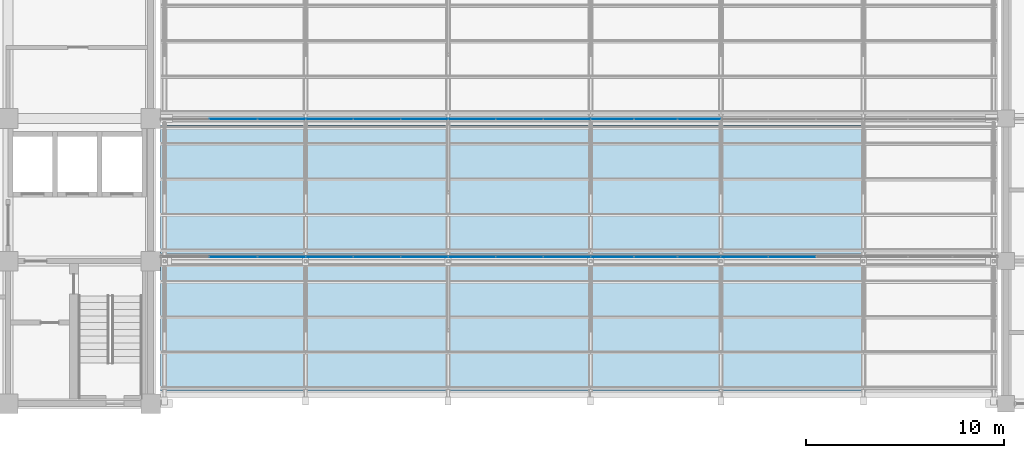
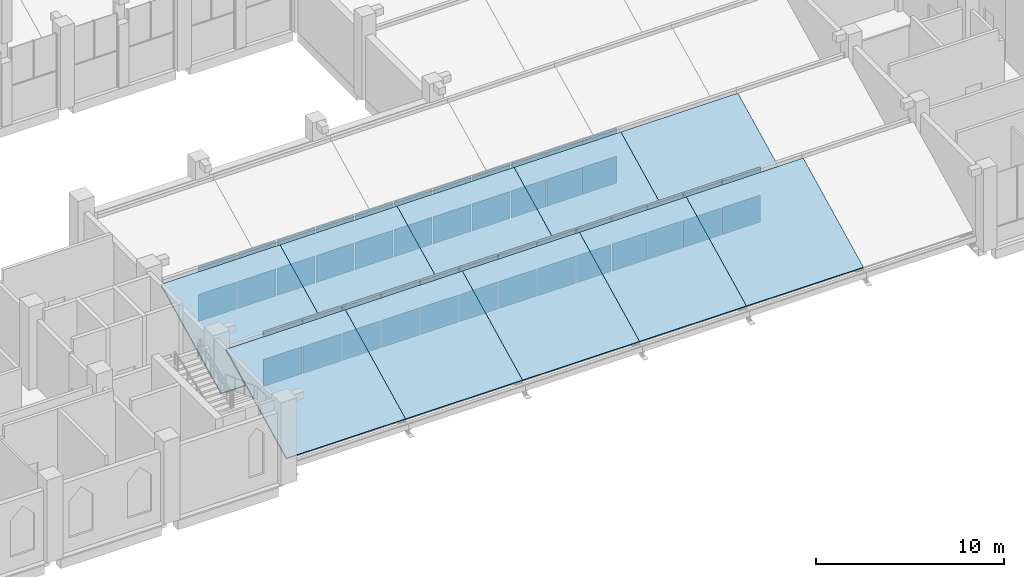
# One storey, part 61 of 83: 48 plates, 10 slabs, 9 elements without a shape of their own.
"""IFC4 building model written with IfcOpenShell, lengths in metres."""

from ifc_helpers import new_model, si_unit, direction, frame, origin, place, context, subcontext, project, spatial, polyline, outline, extrude, material, layer, layer_set, type_object, element, aggregate, save


model = new_model("IFC4")

# Units and contexts
model_context = context("Model", 3, precision=1e-05, world=origin(), true_north=direction((0.0, 1.0)))
body_context = subcontext(model_context, "Body", "Model", "MODEL_VIEW")
ifc_project = project(units=[si_unit("LENGTHUNIT", "METRE"), si_unit("AREAUNIT", "SQUARE_METRE"), si_unit("VOLUMEUNIT", "CUBIC_METRE"), si_unit("PLANEANGLEUNIT", "RADIAN"), si_unit("MASSUNIT", "GRAM", prefix="KILO")], contexts=[model_context])

# Site, building, storey
site_placement = place(None, origin())
site = spatial("IfcSite", under=ifc_project, at=site_placement, CompositionType="ELEMENT")
building_placement = place(site_placement, origin())
building = spatial("IfcBuilding", under=site, at=building_placement, Name="Silangan Lancet Faculty of Sciences", CompositionType="ELEMENT")
storey_placement = place(building_placement, frame((0.0, 0.0, 11.39990234375)))
storey = spatial("IfcBuildingStorey", under=building, at=storey_placement, Name="L02", CompositionType="ELEMENT", Elevation=11.39990234375)

# Curtain wall, plates
ifc_material_1 = material(Name="Aluminium and laminated glass", Category="aluminium")
curtain_wall_type = type_object("IfcCurtainWallType", Name="North light glazing system", PredefinedType="NOTDEFINED", material=ifc_material_1)
curtain_wall_1_placement = place(storey_placement, origin())
curtain_wall_1 = element("IfcCurtainWall", 1, at=curtain_wall_1_placement, inside=storey, type_object=curtain_wall_type, Name="North light glazing SAB-1-4", PredefinedType="NOTDEFINED")
ifc_material_2 = material(Name="Laminated glass 12 + 12", Category="glass")
ifc_layer_1 = layer(ifc_material_2, 0.02392578125)
ifc_layer_set_1 = layer_set([ifc_layer_1], Name="Laminated glass 12 + 12")
plate_type_1 = type_object("IfcPlateType", Name="North light glass panel 2132x1768", PredefinedType="CURTAIN_PANEL", material=ifc_layer_set_1)
plate_1_placement = place(storey_placement, frame((51.054931640625, 7.40478515625, 0.4423828125), z_axis=(0.0, -1.0, 0.0), x_axis=(1.0, 0.0, 0.0)))
plate_1 = element("IfcPlate", 2, at=plate_1_placement, type_object=plate_type_1, Name="North light glass SAB-1-4 1-1", PredefinedType="CURTAIN_PANEL", context=body_context, shape_type="SweptSolid", body=[
    extrude(outline(polyline([(0.0, 0.0), (2.1318359375, 0.0), (2.1318359375, 1.76806640625), (0.0, 1.76806640625), (0.0, 0.0)])), origin(), (0.0, 0.0, -1.0), 0.02392578125),
])
plate_2_placement = place(storey_placement, frame((51.054931640625, 7.40478515625, 2.2705078125), z_axis=(0.0, -1.0, 0.0), x_axis=(1.0, 0.0, 0.0)))
plate_2 = element("IfcPlate", 3, at=plate_2_placement, type_object=plate_type_1, Name="North light glass SAB-1-4 2-1", PredefinedType="CURTAIN_PANEL", context=body_context, shape_type="SweptSolid", body=[
    extrude(outline(polyline([(0.0, 0.0), (2.1318359375, 0.0), (2.1318359375, 1.767822265625), (0.0, 1.767822265625), (0.0, 0.0)])), origin(), (0.0, 0.0, -1.0), 0.02392578125),
])
plate_3_placement = place(storey_placement, frame((53.24658203125, 7.40478515625, 0.4423828125), z_axis=(0.0, -1.0, 0.0), x_axis=(1.0, 0.0, 0.0)))
plate_3 = element("IfcPlate", 4, at=plate_3_placement, type_object=plate_type_1, Name="North light glass SAB-1-4 1-2", PredefinedType="CURTAIN_PANEL", context=body_context, shape_type="SweptSolid", body=[
    extrude(outline(polyline([(0.0, 0.0), (2.1318359375, 0.0), (2.1318359375, 1.76806640625), (0.0, 1.76806640625), (0.0, 0.0)])), origin(), (0.0, 0.0, -1.0), 0.02392578125),
])
plate_4_placement = place(storey_placement, frame((53.24658203125, 7.40478515625, 2.2705078125), z_axis=(0.0, -1.0, 0.0), x_axis=(1.0, 0.0, 0.0)))
plate_4 = element("IfcPlate", 5, at=plate_4_placement, type_object=plate_type_1, Name="North light glass SAB-1-4 2-2", PredefinedType="CURTAIN_PANEL", context=body_context, shape_type="SweptSolid", body=[
    extrude(outline(polyline([(0.0, 0.0), (2.1318359375, 0.0), (2.1318359375, 1.767822265625), (0.0, 1.767822265625), (0.0, 0.0)])), origin(), (0.0, 0.0, -1.0), 0.02392578125),
])
plate_5_placement = place(storey_placement, frame((55.438232421875, 7.40478515625, 0.4423828125), z_axis=(0.0, -1.0, 0.0), x_axis=(1.0, 0.0, 0.0)))
plate_5 = element("IfcPlate", 6, at=plate_5_placement, type_object=plate_type_1, Name="North light glass SAB-1-4 1-3", PredefinedType="CURTAIN_PANEL", context=body_context, shape_type="SweptSolid", body=[
    extrude(outline(polyline([(0.0, 0.0), (2.1318359375, 0.0), (2.1318359375, 1.76806640625), (0.0, 1.76806640625), (0.0, 0.0)])), origin(), (0.0, 0.0, -1.0), 0.02392578125),
])
plate_6_placement = place(storey_placement, frame((55.438232421875, 7.40478515625, 2.2705078125), z_axis=(0.0, -1.0, 0.0), x_axis=(1.0, 0.0, 0.0)))
plate_6 = element("IfcPlate", 7, at=plate_6_placement, type_object=plate_type_1, Name="North light glass SAB-1-4 2-3", PredefinedType="CURTAIN_PANEL", context=body_context, shape_type="SweptSolid", body=[
    extrude(outline(polyline([(0.0, 0.0), (2.1318359375, 0.0), (2.1318359375, 1.767822265625), (0.0, 1.767822265625), (0.0, 0.0)])), origin(), (0.0, 0.0, -1.0), 0.02392578125),
])
aggregate(curtain_wall_1, [plate_1, plate_2, plate_3, plate_4, plate_5, plate_6])

curtain_wall_2_placement = place(storey_placement, origin())
curtain_wall_2 = element("IfcCurtainWall", 8, at=curtain_wall_2_placement, inside=storey, type_object=curtain_wall_type, Name="North light glazing SAB-2-4", PredefinedType="NOTDEFINED")
plate_7_placement = place(storey_placement, frame((51.054931640625, 14.3662109375, 0.4423828125), z_axis=(0.0, -1.0, 0.0), x_axis=(1.0, 0.0, 0.0)))
plate_7 = element("IfcPlate", 9, at=plate_7_placement, type_object=plate_type_1, Name="North light glass SAB-2-4 1-1", PredefinedType="CURTAIN_PANEL", context=body_context, shape_type="SweptSolid", body=[
    extrude(outline(polyline([(0.0, 0.0), (2.1318359375, 0.0), (2.1318359375, 1.76806640625), (0.0, 1.76806640625), (0.0, 0.0)])), origin(), (0.0, 0.0, -1.0), 0.02392578125),
])
plate_8_placement = place(storey_placement, frame((51.054931640625, 14.3662109375, 2.2705078125), z_axis=(0.0, -1.0, 0.0), x_axis=(1.0, 0.0, 0.0)))
plate_8 = element("IfcPlate", 10, at=plate_8_placement, type_object=plate_type_1, Name="North light glass SAB-2-4 2-1", PredefinedType="CURTAIN_PANEL", context=body_context, shape_type="SweptSolid", body=[
    extrude(outline(polyline([(0.0, 0.0), (2.1318359375, 0.0), (2.1318359375, 1.767822265625), (0.0, 1.767822265625), (0.0, 0.0)])), origin(), (0.0, 0.0, -1.0), 0.02392578125),
])
plate_9_placement = place(storey_placement, frame((53.24658203125, 14.3662109375, 0.4423828125), z_axis=(0.0, -1.0, 0.0), x_axis=(1.0, 0.0, 0.0)))
plate_9 = element("IfcPlate", 11, at=plate_9_placement, type_object=plate_type_1, Name="North light glass SAB-2-4 1-2", PredefinedType="CURTAIN_PANEL", context=body_context, shape_type="SweptSolid", body=[
    extrude(outline(polyline([(0.0, 0.0), (2.1318359375, 0.0), (2.1318359375, 1.76806640625), (0.0, 1.76806640625), (0.0, 0.0)])), origin(), (0.0, 0.0, -1.0), 0.02392578125),
])
plate_10_placement = place(storey_placement, frame((53.24658203125, 14.3662109375, 2.2705078125), z_axis=(0.0, -1.0, 0.0), x_axis=(1.0, 0.0, 0.0)))
plate_10 = element("IfcPlate", 12, at=plate_10_placement, type_object=plate_type_1, Name="North light glass SAB-2-4 2-2", PredefinedType="CURTAIN_PANEL", context=body_context, shape_type="SweptSolid", body=[
    extrude(outline(polyline([(0.0, 0.0), (2.1318359375, 0.0), (2.1318359375, 1.767822265625), (0.0, 1.767822265625), (0.0, 0.0)])), origin(), (0.0, 0.0, -1.0), 0.02392578125),
])
plate_11_placement = place(storey_placement, frame((55.438232421875, 14.3662109375, 0.4423828125), z_axis=(0.0, -1.0, 0.0), x_axis=(1.0, 0.0, 0.0)))
plate_11 = element("IfcPlate", 13, at=plate_11_placement, type_object=plate_type_1, Name="North light glass SAB-2-4 1-3", PredefinedType="CURTAIN_PANEL", context=body_context, shape_type="SweptSolid", body=[
    extrude(outline(polyline([(0.0, 0.0), (2.1318359375, 0.0), (2.1318359375, 1.76806640625), (0.0, 1.76806640625), (0.0, 0.0)])), origin(), (0.0, 0.0, -1.0), 0.02392578125),
])
plate_12_placement = place(storey_placement, frame((55.438232421875, 14.3662109375, 2.2705078125), z_axis=(0.0, -1.0, 0.0), x_axis=(1.0, 0.0, 0.0)))
plate_12 = element("IfcPlate", 14, at=plate_12_placement, type_object=plate_type_1, Name="North light glass SAB-2-4 2-3", PredefinedType="CURTAIN_PANEL", context=body_context, shape_type="SweptSolid", body=[
    extrude(outline(polyline([(0.0, 0.0), (2.1318359375, 0.0), (2.1318359375, 1.767822265625), (0.0, 1.767822265625), (0.0, 0.0)])), origin(), (0.0, 0.0, -1.0), 0.02392578125),
])
aggregate(curtain_wall_2, [plate_7, plate_8, plate_9, plate_10, plate_11, plate_12])

curtain_wall_3_placement = place(storey_placement, origin())
curtain_wall_3 = element("IfcCurtainWall", 15, at=curtain_wall_3_placement, inside=storey, type_object=curtain_wall_type, Name="North light glazing SAB-1-2", PredefinedType="NOTDEFINED")
ifc_material_3 = material(Name="Laminated glass 12 + 12", Category="glass")
ifc_layer_2 = layer(ifc_material_3, 0.02392578125)
ifc_layer_set_2 = layer_set([ifc_layer_2], Name="Laminated glass 12 + 12")
plate_type_2 = type_object("IfcPlateType", Name="North light glass panel 2340x1768", PredefinedType="CURTAIN_PANEL", material=ifc_layer_set_2)
plate_13_placement = place(storey_placement, frame((36.655029296875, 7.40478515625, 0.4423828125), z_axis=(0.0, -1.0, 0.0), x_axis=(1.0, 0.0, 0.0)))
plate_13 = element("IfcPlate", 16, at=plate_13_placement, type_object=plate_type_2, Name="North light glass SAB-1-2 1-1", PredefinedType="CURTAIN_PANEL", context=body_context, shape_type="SweptSolid", body=[
    extrude(outline(polyline([(0.0, 0.0), (2.340087890625, 0.0), (2.340087890625, 1.76806640625), (0.0, 1.76806640625), (0.0, 0.0)])), origin(), (0.0, 0.0, -1.0), 0.02392578125),
])
plate_14_placement = place(storey_placement, frame((36.655029296875, 7.40478515625, 2.2705078125), z_axis=(0.0, -1.0, 0.0), x_axis=(1.0, 0.0, 0.0)))
plate_14 = element("IfcPlate", 17, at=plate_14_placement, type_object=plate_type_2, Name="North light glass SAB-1-2 2-1", PredefinedType="CURTAIN_PANEL", context=body_context, shape_type="SweptSolid", body=[
    extrude(outline(polyline([(0.0, 0.0), (2.340087890625, 0.0), (2.340087890625, 1.767822265625), (0.0, 1.767822265625), (0.0, 0.0)])), origin(), (0.0, 0.0, -1.0), 0.02392578125),
])
plate_15_placement = place(storey_placement, frame((39.054931640625, 7.40478515625, 0.4423828125), z_axis=(0.0, -1.0, 0.0), x_axis=(1.0, 0.0, 0.0)))
plate_15 = element("IfcPlate", 18, at=plate_15_placement, type_object=plate_type_2, Name="North light glass SAB-1-2 1-2", PredefinedType="CURTAIN_PANEL", context=body_context, shape_type="SweptSolid", body=[
    extrude(outline(polyline([(0.0, 0.0), (2.340087890625, 0.0), (2.340087890625, 1.76806640625), (0.0, 1.76806640625), (0.0, 0.0)])), origin(), (0.0, 0.0, -1.0), 0.02392578125),
])
plate_16_placement = place(storey_placement, frame((39.054931640625, 7.40478515625, 2.2705078125), z_axis=(0.0, -1.0, 0.0), x_axis=(1.0, 0.0, 0.0)))
plate_16 = element("IfcPlate", 19, at=plate_16_placement, type_object=plate_type_2, Name="North light glass SAB-1-2 2-2", PredefinedType="CURTAIN_PANEL", context=body_context, shape_type="SweptSolid", body=[
    extrude(outline(polyline([(0.0, 0.0), (2.340087890625, 0.0), (2.340087890625, 1.767822265625), (0.0, 1.767822265625), (0.0, 0.0)])), origin(), (0.0, 0.0, -1.0), 0.02392578125),
])
plate_17_placement = place(storey_placement, frame((41.455078125, 7.40478515625, 0.4423828125), z_axis=(0.0, -1.0, 0.0), x_axis=(1.0, 0.0, 0.0)))
plate_17 = element("IfcPlate", 20, at=plate_17_placement, type_object=plate_type_2, Name="North light glass SAB-1-2 1-3", PredefinedType="CURTAIN_PANEL", context=body_context, shape_type="SweptSolid", body=[
    extrude(outline(polyline([(0.0, 0.0), (2.33984375, 0.0), (2.33984375, 1.76806640625), (0.0, 1.76806640625), (0.0, 0.0)])), origin(), (0.0, 0.0, -1.0), 0.02392578125),
])
plate_18_placement = place(storey_placement, frame((41.455078125, 7.40478515625, 2.2705078125), z_axis=(0.0, -1.0, 0.0), x_axis=(1.0, 0.0, 0.0)))
plate_18 = element("IfcPlate", 21, at=plate_18_placement, type_object=plate_type_2, Name="North light glass SAB-1-2 2-3", PredefinedType="CURTAIN_PANEL", context=body_context, shape_type="SweptSolid", body=[
    extrude(outline(polyline([(0.0, 0.0), (2.33984375, 0.0), (2.33984375, 1.767822265625), (0.0, 1.767822265625), (0.0, 0.0)])), origin(), (0.0, 0.0, -1.0), 0.02392578125),
])
aggregate(curtain_wall_3, [plate_13, plate_14, plate_15, plate_16, plate_17, plate_18])

curtain_wall_4_placement = place(storey_placement, origin())
curtain_wall_4 = element("IfcCurtainWall", 22, at=curtain_wall_4_placement, inside=storey, type_object=curtain_wall_type, Name="North light glazing SAB-2-2", PredefinedType="NOTDEFINED")
plate_19_placement = place(storey_placement, frame((36.655029296875, 14.3662109375, 0.4423828125), z_axis=(0.0, -1.0, 0.0), x_axis=(1.0, 0.0, 0.0)))
plate_19 = element("IfcPlate", 23, at=plate_19_placement, type_object=plate_type_2, Name="North light glass SAB-2-2 1-1", PredefinedType="CURTAIN_PANEL", context=body_context, shape_type="SweptSolid", body=[
    extrude(outline(polyline([(0.0, 0.0), (2.340087890625, 0.0), (2.340087890625, 1.76806640625), (0.0, 1.76806640625), (0.0, 0.0)])), origin(), (0.0, 0.0, -1.0), 0.02392578125),
])
plate_20_placement = place(storey_placement, frame((36.655029296875, 14.3662109375, 2.2705078125), z_axis=(0.0, -1.0, 0.0), x_axis=(1.0, 0.0, 0.0)))
plate_20 = element("IfcPlate", 24, at=plate_20_placement, type_object=plate_type_2, Name="North light glass SAB-2-2 2-1", PredefinedType="CURTAIN_PANEL", context=body_context, shape_type="SweptSolid", body=[
    extrude(outline(polyline([(0.0, 0.0), (2.340087890625, 0.0), (2.340087890625, 1.767822265625), (0.0, 1.767822265625), (0.0, 0.0)])), origin(), (0.0, 0.0, -1.0), 0.02392578125),
])
plate_21_placement = place(storey_placement, frame((39.054931640625, 14.3662109375, 0.4423828125), z_axis=(0.0, -1.0, 0.0), x_axis=(1.0, 0.0, 0.0)))
plate_21 = element("IfcPlate", 25, at=plate_21_placement, type_object=plate_type_2, Name="North light glass SAB-2-2 1-2", PredefinedType="CURTAIN_PANEL", context=body_context, shape_type="SweptSolid", body=[
    extrude(outline(polyline([(0.0, 0.0), (2.340087890625, 0.0), (2.340087890625, 1.76806640625), (0.0, 1.76806640625), (0.0, 0.0)])), origin(), (0.0, 0.0, -1.0), 0.02392578125),
])
plate_22_placement = place(storey_placement, frame((39.054931640625, 14.3662109375, 2.2705078125), z_axis=(0.0, -1.0, 0.0), x_axis=(1.0, 0.0, 0.0)))
plate_22 = element("IfcPlate", 26, at=plate_22_placement, type_object=plate_type_2, Name="North light glass SAB-2-2 2-2", PredefinedType="CURTAIN_PANEL", context=body_context, shape_type="SweptSolid", body=[
    extrude(outline(polyline([(0.0, 0.0), (2.340087890625, 0.0), (2.340087890625, 1.767822265625), (0.0, 1.767822265625), (0.0, 0.0)])), origin(), (0.0, 0.0, -1.0), 0.02392578125),
])
plate_23_placement = place(storey_placement, frame((41.455078125, 14.3662109375, 0.4423828125), z_axis=(0.0, -1.0, 0.0), x_axis=(1.0, 0.0, 0.0)))
plate_23 = element("IfcPlate", 27, at=plate_23_placement, type_object=plate_type_2, Name="North light glass SAB-2-2 1-3", PredefinedType="CURTAIN_PANEL", context=body_context, shape_type="SweptSolid", body=[
    extrude(outline(polyline([(0.0, 0.0), (2.33984375, 0.0), (2.33984375, 1.76806640625), (0.0, 1.76806640625), (0.0, 0.0)])), origin(), (0.0, 0.0, -1.0), 0.02392578125),
])
plate_24_placement = place(storey_placement, frame((41.455078125, 14.3662109375, 2.2705078125), z_axis=(0.0, -1.0, 0.0), x_axis=(1.0, 0.0, 0.0)))
plate_24 = element("IfcPlate", 28, at=plate_24_placement, type_object=plate_type_2, Name="North light glass SAB-2-2 2-3", PredefinedType="CURTAIN_PANEL", context=body_context, shape_type="SweptSolid", body=[
    extrude(outline(polyline([(0.0, 0.0), (2.33984375, 0.0), (2.33984375, 1.767822265625), (0.0, 1.767822265625), (0.0, 0.0)])), origin(), (0.0, 0.0, -1.0), 0.02392578125),
])
aggregate(curtain_wall_4, [plate_19, plate_20, plate_21, plate_22, plate_23, plate_24])

curtain_wall_5_placement = place(storey_placement, origin())
curtain_wall_5 = element("IfcCurtainWall", 29, at=curtain_wall_5_placement, inside=storey, type_object=curtain_wall_type, Name="North light glazing SAB-1-3", PredefinedType="NOTDEFINED")
plate_25_placement = place(storey_placement, frame((43.85498046875, 7.40478515625, 0.4423828125), z_axis=(0.0, -1.0, 0.0), x_axis=(1.0, 0.0, 0.0)))
plate_25 = element("IfcPlate", 30, at=plate_25_placement, type_object=plate_type_2, Name="North light glass SAB-1-3 1-1", PredefinedType="CURTAIN_PANEL", context=body_context, shape_type="SweptSolid", body=[
    extrude(outline(polyline([(0.0, 0.0), (2.340087890625, 0.0), (2.340087890625, 1.76806640625), (0.0, 1.76806640625), (0.0, 0.0)])), origin(), (0.0, 0.0, -1.0), 0.02392578125),
])
plate_26_placement = place(storey_placement, frame((43.85498046875, 7.40478515625, 2.2705078125), z_axis=(0.0, -1.0, 0.0), x_axis=(1.0, 0.0, 0.0)))
plate_26 = element("IfcPlate", 31, at=plate_26_placement, type_object=plate_type_2, Name="North light glass SAB-1-3 2-1", PredefinedType="CURTAIN_PANEL", context=body_context, shape_type="SweptSolid", body=[
    extrude(outline(polyline([(0.0, 0.0), (2.340087890625, 0.0), (2.340087890625, 1.767822265625), (0.0, 1.767822265625), (0.0, 0.0)])), origin(), (0.0, 0.0, -1.0), 0.02392578125),
])
plate_27_placement = place(storey_placement, frame((46.2548828125, 7.40478515625, 0.4423828125), z_axis=(0.0, -1.0, 0.0), x_axis=(1.0, 0.0, 0.0)))
plate_27 = element("IfcPlate", 32, at=plate_27_placement, type_object=plate_type_2, Name="North light glass SAB-1-3 1-2", PredefinedType="CURTAIN_PANEL", context=body_context, shape_type="SweptSolid", body=[
    extrude(outline(polyline([(0.0, 0.0), (2.340087890625, 0.0), (2.340087890625, 1.76806640625), (0.0, 1.76806640625), (0.0, 0.0)])), origin(), (0.0, 0.0, -1.0), 0.02392578125),
])
plate_28_placement = place(storey_placement, frame((46.2548828125, 7.40478515625, 2.2705078125), z_axis=(0.0, -1.0, 0.0), x_axis=(1.0, 0.0, 0.0)))
plate_28 = element("IfcPlate", 33, at=plate_28_placement, type_object=plate_type_2, Name="North light glass SAB-1-3 2-2", PredefinedType="CURTAIN_PANEL", context=body_context, shape_type="SweptSolid", body=[
    extrude(outline(polyline([(0.0, 0.0), (2.340087890625, 0.0), (2.340087890625, 1.767822265625), (0.0, 1.767822265625), (0.0, 0.0)])), origin(), (0.0, 0.0, -1.0), 0.02392578125),
])
plate_29_placement = place(storey_placement, frame((48.655029296875, 7.40478515625, 0.4423828125), z_axis=(0.0, -1.0, 0.0), x_axis=(1.0, 0.0, 0.0)))
plate_29 = element("IfcPlate", 34, at=plate_29_placement, type_object=plate_type_2, Name="North light glass SAB-1-3 1-3", PredefinedType="CURTAIN_PANEL", context=body_context, shape_type="SweptSolid", body=[
    extrude(outline(polyline([(0.0, 0.0), (2.340087890625, 0.0), (2.340087890625, 1.76806640625), (0.0, 1.76806640625), (0.0, 0.0)])), origin(), (0.0, 0.0, -1.0), 0.02392578125),
])
plate_30_placement = place(storey_placement, frame((48.655029296875, 7.40478515625, 2.2705078125), z_axis=(0.0, -1.0, 0.0), x_axis=(1.0, 0.0, 0.0)))
plate_30 = element("IfcPlate", 35, at=plate_30_placement, type_object=plate_type_2, Name="North light glass SAB-1-3 2-3", PredefinedType="CURTAIN_PANEL", context=body_context, shape_type="SweptSolid", body=[
    extrude(outline(polyline([(0.0, 0.0), (2.340087890625, 0.0), (2.340087890625, 1.767822265625), (0.0, 1.767822265625), (0.0, 0.0)])), origin(), (0.0, 0.0, -1.0), 0.02392578125),
])
aggregate(curtain_wall_5, [plate_25, plate_26, plate_27, plate_28, plate_29, plate_30])

curtain_wall_6_placement = place(storey_placement, origin())
curtain_wall_6 = element("IfcCurtainWall", 36, at=curtain_wall_6_placement, inside=storey, type_object=curtain_wall_type, Name="North light glazing SAB-2-3", PredefinedType="NOTDEFINED")
plate_31_placement = place(storey_placement, frame((43.85498046875, 14.3662109375, 0.4423828125), z_axis=(0.0, -1.0, 0.0), x_axis=(1.0, 0.0, 0.0)))
plate_31 = element("IfcPlate", 37, at=plate_31_placement, type_object=plate_type_2, Name="North light glass SAB-2-3 1-1", PredefinedType="CURTAIN_PANEL", context=body_context, shape_type="SweptSolid", body=[
    extrude(outline(polyline([(0.0, 0.0), (2.340087890625, 0.0), (2.340087890625, 1.76806640625), (0.0, 1.76806640625), (0.0, 0.0)])), origin(), (0.0, 0.0, -1.0), 0.02392578125),
])
plate_32_placement = place(storey_placement, frame((43.85498046875, 14.3662109375, 2.2705078125), z_axis=(0.0, -1.0, 0.0), x_axis=(1.0, 0.0, 0.0)))
plate_32 = element("IfcPlate", 38, at=plate_32_placement, type_object=plate_type_2, Name="North light glass SAB-2-3 2-1", PredefinedType="CURTAIN_PANEL", context=body_context, shape_type="SweptSolid", body=[
    extrude(outline(polyline([(0.0, 0.0), (2.340087890625, 0.0), (2.340087890625, 1.767822265625), (0.0, 1.767822265625), (0.0, 0.0)])), origin(), (0.0, 0.0, -1.0), 0.02392578125),
])
plate_33_placement = place(storey_placement, frame((46.2548828125, 14.3662109375, 0.4423828125), z_axis=(0.0, -1.0, 0.0), x_axis=(1.0, 0.0, 0.0)))
plate_33 = element("IfcPlate", 39, at=plate_33_placement, type_object=plate_type_2, Name="North light glass SAB-2-3 1-2", PredefinedType="CURTAIN_PANEL", context=body_context, shape_type="SweptSolid", body=[
    extrude(outline(polyline([(0.0, 0.0), (2.340087890625, 0.0), (2.340087890625, 1.76806640625), (0.0, 1.76806640625), (0.0, 0.0)])), origin(), (0.0, 0.0, -1.0), 0.02392578125),
])
plate_34_placement = place(storey_placement, frame((46.2548828125, 14.3662109375, 2.2705078125), z_axis=(0.0, -1.0, 0.0), x_axis=(1.0, 0.0, 0.0)))
plate_34 = element("IfcPlate", 40, at=plate_34_placement, type_object=plate_type_2, Name="North light glass SAB-2-3 2-2", PredefinedType="CURTAIN_PANEL", context=body_context, shape_type="SweptSolid", body=[
    extrude(outline(polyline([(0.0, 0.0), (2.340087890625, 0.0), (2.340087890625, 1.767822265625), (0.0, 1.767822265625), (0.0, 0.0)])), origin(), (0.0, 0.0, -1.0), 0.02392578125),
])
plate_35_placement = place(storey_placement, frame((48.655029296875, 14.3662109375, 0.4423828125), z_axis=(0.0, -1.0, 0.0), x_axis=(1.0, 0.0, 0.0)))
plate_35 = element("IfcPlate", 41, at=plate_35_placement, type_object=plate_type_2, Name="North light glass SAB-2-3 1-3", PredefinedType="CURTAIN_PANEL", context=body_context, shape_type="SweptSolid", body=[
    extrude(outline(polyline([(0.0, 0.0), (2.340087890625, 0.0), (2.340087890625, 1.76806640625), (0.0, 1.76806640625), (0.0, 0.0)])), origin(), (0.0, 0.0, -1.0), 0.02392578125),
])
plate_36_placement = place(storey_placement, frame((48.655029296875, 14.3662109375, 2.2705078125), z_axis=(0.0, -1.0, 0.0), x_axis=(1.0, 0.0, 0.0)))
plate_36 = element("IfcPlate", 42, at=plate_36_placement, type_object=plate_type_2, Name="North light glass SAB-2-3 2-3", PredefinedType="CURTAIN_PANEL", context=body_context, shape_type="SweptSolid", body=[
    extrude(outline(polyline([(0.0, 0.0), (2.340087890625, 0.0), (2.340087890625, 1.767822265625), (0.0, 1.767822265625), (0.0, 0.0)])), origin(), (0.0, 0.0, -1.0), 0.02392578125),
])
aggregate(curtain_wall_6, [plate_31, plate_32, plate_33, plate_34, plate_35, plate_36])

curtain_wall_7_placement = place(storey_placement, origin())
curtain_wall_7 = element("IfcCurtainWall", 43, at=curtain_wall_7_placement, inside=storey, type_object=curtain_wall_type, Name="North light glazing SAB-1-5", PredefinedType="NOTDEFINED")
plate_37_placement = place(storey_placement, frame((57.6298828125, 7.40478515625, 0.4423828125), z_axis=(0.0, -1.0, 0.0), x_axis=(1.0, 0.0, 0.0)))
plate_37 = element("IfcPlate", 44, at=plate_37_placement, type_object=plate_type_2, Name="North light glass SAB-1-5 1-1", PredefinedType="CURTAIN_PANEL", context=body_context, shape_type="SweptSolid", body=[
    extrude(outline(polyline([(0.0, 0.0), (2.340087890625, 0.0), (2.340087890625, 1.76806640625), (0.0, 1.76806640625), (0.0, 0.0)])), origin(), (0.0, 0.0, -1.0), 0.02392578125),
])
plate_38_placement = place(storey_placement, frame((57.6298828125, 7.40478515625, 2.2705078125), z_axis=(0.0, -1.0, 0.0), x_axis=(1.0, 0.0, 0.0)))
plate_38 = element("IfcPlate", 45, at=plate_38_placement, type_object=plate_type_2, Name="North light glass SAB-1-5 2-1", PredefinedType="CURTAIN_PANEL", context=body_context, shape_type="SweptSolid", body=[
    extrude(outline(polyline([(0.0, 0.0), (2.340087890625, 0.0), (2.340087890625, 1.767822265625), (0.0, 1.767822265625), (0.0, 0.0)])), origin(), (0.0, 0.0, -1.0), 0.02392578125),
])
plate_39_placement = place(storey_placement, frame((60.030029296875, 7.40478515625, 0.4423828125), z_axis=(0.0, -1.0, 0.0), x_axis=(1.0, 0.0, 0.0)))
plate_39 = element("IfcPlate", 46, at=plate_39_placement, type_object=plate_type_2, Name="North light glass SAB-1-5 1-2", PredefinedType="CURTAIN_PANEL", context=body_context, shape_type="SweptSolid", body=[
    extrude(outline(polyline([(0.0, 0.0), (2.340087890625, 0.0), (2.340087890625, 1.76806640625), (0.0, 1.76806640625), (0.0, 0.0)])), origin(), (0.0, 0.0, -1.0), 0.02392578125),
])
plate_40_placement = place(storey_placement, frame((60.030029296875, 7.40478515625, 2.2705078125), z_axis=(0.0, -1.0, 0.0), x_axis=(1.0, 0.0, 0.0)))
plate_40 = element("IfcPlate", 47, at=plate_40_placement, type_object=plate_type_2, Name="North light glass SAB-1-5 2-2", PredefinedType="CURTAIN_PANEL", context=body_context, shape_type="SweptSolid", body=[
    extrude(outline(polyline([(0.0, 0.0), (2.340087890625, 0.0), (2.340087890625, 1.767822265625), (0.0, 1.767822265625), (0.0, 0.0)])), origin(), (0.0, 0.0, -1.0), 0.02392578125),
])
aggregate(curtain_wall_7, [plate_37, plate_38, plate_39, plate_40])

curtain_wall_8_placement = place(storey_placement, origin())
curtain_wall_8 = element("IfcCurtainWall", 48, at=curtain_wall_8_placement, inside=storey, type_object=curtain_wall_type, Name="North light glazing SAB-1-1", PredefinedType="NOTDEFINED")
ifc_material_4 = material(Name="Laminated glass 12 + 12", Category="glass")
ifc_layer_3 = layer(ifc_material_4, 0.02392578125)
ifc_layer_set_3 = layer_set([ifc_layer_3], Name="Laminated glass 12 + 12")
plate_type_3 = type_object("IfcPlateType", Name="North light glass panel 2372x1768", PredefinedType="CURTAIN_PANEL", material=ifc_layer_set_3)
plate_41_placement = place(storey_placement, frame((31.791748046875, 7.40478515625, 0.4423828125), z_axis=(0.0, -1.0, 0.0), x_axis=(1.0, 0.0, 0.0)))
plate_41 = element("IfcPlate", 49, at=plate_41_placement, type_object=plate_type_3, Name="North light glass SAB-1-1 1-2", PredefinedType="CURTAIN_PANEL", context=body_context, shape_type="SweptSolid", body=[
    extrude(outline(polyline([(0.0, 0.0), (2.37158203125, 0.0), (2.37158203125, 1.76806640625), (0.0, 1.76806640625), (0.0, 0.0)])), origin(), (0.0, 0.0, -1.0), 0.02392578125),
])
plate_42_placement = place(storey_placement, frame((31.791748046875, 7.40478515625, 2.2705078125), z_axis=(0.0, -1.0, 0.0), x_axis=(1.0, 0.0, 0.0)))
plate_42 = element("IfcPlate", 50, at=plate_42_placement, type_object=plate_type_3, Name="North light glass SAB-1-1 2-2", PredefinedType="CURTAIN_PANEL", context=body_context, shape_type="SweptSolid", body=[
    extrude(outline(polyline([(0.0, 0.0), (2.37158203125, 0.0), (2.37158203125, 1.767822265625), (0.0, 1.767822265625), (0.0, 0.0)])), origin(), (0.0, 0.0, -1.0), 0.02392578125),
])
plate_43_placement = place(storey_placement, frame((34.223388671875, 7.40478515625, 0.4423828125), z_axis=(0.0, -1.0, 0.0), x_axis=(1.0, 0.0, 0.0)))
plate_43 = element("IfcPlate", 51, at=plate_43_placement, type_object=plate_type_3, Name="North light glass SAB-1-1 1-3", PredefinedType="CURTAIN_PANEL", context=body_context, shape_type="SweptSolid", body=[
    extrude(outline(polyline([(0.0, 0.0), (2.37158203125, 0.0), (2.37158203125, 1.76806640625), (0.0, 1.76806640625), (0.0, 0.0)])), origin(), (0.0, 0.0, -1.0), 0.02392578125),
])
plate_44_placement = place(storey_placement, frame((34.223388671875, 7.40478515625, 2.2705078125), z_axis=(0.0, -1.0, 0.0), x_axis=(1.0, 0.0, 0.0)))
plate_44 = element("IfcPlate", 52, at=plate_44_placement, type_object=plate_type_3, Name="North light glass SAB-1-1 2-3", PredefinedType="CURTAIN_PANEL", context=body_context, shape_type="SweptSolid", body=[
    extrude(outline(polyline([(0.0, 0.0), (2.37158203125, 0.0), (2.37158203125, 1.767822265625), (0.0, 1.767822265625), (0.0, 0.0)])), origin(), (0.0, 0.0, -1.0), 0.02392578125),
])
aggregate(curtain_wall_8, [plate_41, plate_42, plate_43, plate_44])

curtain_wall_9_placement = place(storey_placement, origin())
curtain_wall_9 = element("IfcCurtainWall", 53, at=curtain_wall_9_placement, inside=storey, type_object=curtain_wall_type, Name="North light glazing SAB-2-1", PredefinedType="NOTDEFINED")
plate_45_placement = place(storey_placement, frame((31.791748046875, 14.3662109375, 0.4423828125), z_axis=(0.0, -1.0, 0.0), x_axis=(1.0, 0.0, 0.0)))
plate_45 = element("IfcPlate", 54, at=plate_45_placement, type_object=plate_type_3, Name="North light glass SAB-2-1 1-2", PredefinedType="CURTAIN_PANEL", context=body_context, shape_type="SweptSolid", body=[
    extrude(outline(polyline([(0.0, 0.0), (2.37158203125, 0.0), (2.37158203125, 1.76806640625), (0.0, 1.76806640625), (0.0, 0.0)])), origin(), (0.0, 0.0, -1.0), 0.02392578125),
])
plate_46_placement = place(storey_placement, frame((31.791748046875, 14.3662109375, 2.2705078125), z_axis=(0.0, -1.0, 0.0), x_axis=(1.0, 0.0, 0.0)))
plate_46 = element("IfcPlate", 55, at=plate_46_placement, type_object=plate_type_3, Name="North light glass SAB-2-1 2-2", PredefinedType="CURTAIN_PANEL", context=body_context, shape_type="SweptSolid", body=[
    extrude(outline(polyline([(0.0, 0.0), (2.37158203125, 0.0), (2.37158203125, 1.767822265625), (0.0, 1.767822265625), (0.0, 0.0)])), origin(), (0.0, 0.0, -1.0), 0.02392578125),
])
plate_47_placement = place(storey_placement, frame((34.223388671875, 14.3662109375, 0.4423828125), z_axis=(0.0, -1.0, 0.0), x_axis=(1.0, 0.0, 0.0)))
plate_47 = element("IfcPlate", 56, at=plate_47_placement, type_object=plate_type_3, Name="North light glass SAB-2-1 1-3", PredefinedType="CURTAIN_PANEL", context=body_context, shape_type="SweptSolid", body=[
    extrude(outline(polyline([(0.0, 0.0), (2.37158203125, 0.0), (2.37158203125, 1.76806640625), (0.0, 1.76806640625), (0.0, 0.0)])), origin(), (0.0, 0.0, -1.0), 0.02392578125),
])
plate_48_placement = place(storey_placement, frame((34.223388671875, 14.3662109375, 2.2705078125), z_axis=(0.0, -1.0, 0.0), x_axis=(1.0, 0.0, 0.0)))
plate_48 = element("IfcPlate", 57, at=plate_48_placement, type_object=plate_type_3, Name="North light glass SAB-2-1 2-3", PredefinedType="CURTAIN_PANEL", context=body_context, shape_type="SweptSolid", body=[
    extrude(outline(polyline([(0.0, 0.0), (2.37158203125, 0.0), (2.37158203125, 1.767822265625), (0.0, 1.767822265625), (0.0, 0.0)])), origin(), (0.0, 0.0, -1.0), 0.02392578125),
])
aggregate(curtain_wall_9, [plate_45, plate_46, plate_47, plate_48])

# Slabs
ifc_material_5 = material(Name="Insulated cold-formed steel roof sheeting", Category="steel")
ifc_layer_4 = layer(ifc_material_5, 0.10009765625)
ifc_layer_set_4 = layer_set([ifc_layer_4], Name="Insulated cold-formed steel roof sheeting")
slab_type = type_object("IfcSlabType", Name="Roof sheeting panel 100", PredefinedType="ROOF", material=ifc_layer_set_4)
slab_1_placement = place(storey_placement, frame((29.300048828125, 0.6298828125, 0.770263671875), z_axis=(0.0, -0.4472135955, 0.894427191), x_axis=(1.0, 0.0, 0.0)))
element("IfcSlab", 58, at=slab_1_placement, inside=storey, type_object=slab_type, Name="Roof sheeting SAB-1-1", PredefinedType="ROOF", context=body_context, shape_type="SweptSolid", body=[
    extrude(outline(polyline([(0.0, 0.0), (7.324951171875, 0.0), (7.324951171875, 7.174415371167538), (0.0, 7.174415371167538), (0.0, 0.0)])), origin(), (0.0, 0.0, -1.0), 0.10009765625),
])
slab_2_placement = place(storey_placement, frame((29.300048828125, 7.591796875, 0.770263671875), z_axis=(0.0, -0.447227207599, 0.894420384821), x_axis=(1.0, 0.0, 0.0)))
element("IfcSlab", 59, at=slab_2_placement, inside=storey, type_object=slab_type, Name="Roof sheeting SAB-2-1", PredefinedType="ROOF", context=body_context, shape_type="SweptSolid", body=[
    extrude(outline(polyline([(0.0, 0.0), (7.324951171875, 0.0), (7.324951171875, 7.17419700598493), (0.0, 7.17419700598493), (0.0, 0.0)])), origin(), (0.0, 0.0, -1.0), 0.10009765625),
])
slab_3_placement = place(storey_placement, frame((36.625, 0.6298828125, 0.770263671875), z_axis=(0.0, -0.4472135955, 0.894427191), x_axis=(1.0, 0.0, 0.0)))
element("IfcSlab", 60, at=slab_3_placement, inside=storey, type_object=slab_type, Name="Roof sheeting SAB-1-2", PredefinedType="ROOF", context=body_context, shape_type="SweptSolid", body=[
    extrude(outline(polyline([(0.0, 0.0), (7.199951171875, 0.0), (7.199951171875, 7.174415371167538), (0.0, 7.174415371167538), (0.0, 0.0)])), origin(), (0.0, 0.0, -1.0), 0.10009765625),
])
slab_4_placement = place(storey_placement, frame((36.625, 7.591796875, 0.770263671875), z_axis=(0.0, -0.447227207599, 0.894420384821), x_axis=(1.0, 0.0, 0.0)))
element("IfcSlab", 61, at=slab_4_placement, inside=storey, type_object=slab_type, Name="Roof sheeting SAB-2-2", PredefinedType="ROOF", context=body_context, shape_type="SweptSolid", body=[
    extrude(outline(polyline([(0.0, 0.0), (7.199951171875, 0.0), (7.199951171875, 7.17419700598493), (0.0, 7.17419700598493), (0.0, 0.0)])), origin(), (0.0, 0.0, -1.0), 0.10009765625),
])
slab_5_placement = place(storey_placement, frame((43.824951171875, 0.6298828125, 0.770263671875), z_axis=(0.0, -0.4472135955, 0.894427191), x_axis=(1.0, 0.0, 0.0)))
element("IfcSlab", 62, at=slab_5_placement, inside=storey, type_object=slab_type, Name="Roof sheeting SAB-1-3", PredefinedType="ROOF", context=body_context, shape_type="SweptSolid", body=[
    extrude(outline(polyline([(0.0, 0.0), (7.199951171875, 0.0), (7.199951171875, 7.174415371167538), (0.0, 7.174415371167538), (0.0, 0.0)])), origin(), (0.0, 0.0, -1.0), 0.10009765625),
])
slab_6_placement = place(storey_placement, frame((43.824951171875, 7.591796875, 0.770263671875), z_axis=(0.0, -0.447227207599, 0.894420384821), x_axis=(1.0, 0.0, 0.0)))
element("IfcSlab", 63, at=slab_6_placement, inside=storey, type_object=slab_type, Name="Roof sheeting SAB-2-3", PredefinedType="ROOF", context=body_context, shape_type="SweptSolid", body=[
    extrude(outline(polyline([(0.0, 0.0), (7.199951171875, 0.0), (7.199951171875, 7.17419700598493), (0.0, 7.17419700598493), (0.0, 0.0)])), origin(), (0.0, 0.0, -1.0), 0.10009765625),
])
slab_7_placement = place(storey_placement, frame((51.02490234375, 0.6298828125, 0.770263671875), z_axis=(0.0, -0.4472135955, 0.894427191), x_axis=(1.0, 0.0, 0.0)))
element("IfcSlab", 64, at=slab_7_placement, inside=storey, type_object=slab_type, Name="Roof sheeting SAB-1-4", PredefinedType="ROOF", context=body_context, shape_type="SweptSolid", body=[
    extrude(outline(polyline([(0.0, 0.0), (6.5751953125, 0.0), (6.5751953125, 7.174415371167538), (0.0, 7.174415371167538), (0.0, 0.0)])), origin(), (0.0, 0.0, -1.0), 0.10009765625),
])
slab_8_placement = place(storey_placement, frame((51.02490234375, 7.591796875, 0.770263671875), z_axis=(0.0, -0.447227207599, 0.894420384821), x_axis=(1.0, 0.0, 0.0)))
element("IfcSlab", 65, at=slab_8_placement, inside=storey, type_object=slab_type, Name="Roof sheeting SAB-2-4", PredefinedType="ROOF", context=body_context, shape_type="SweptSolid", body=[
    extrude(outline(polyline([(0.0, 0.0), (6.5751953125, 0.0), (6.5751953125, 7.174197005984931), (0.0, 7.174197005984931), (0.0, 0.0)])), origin(), (0.0, 0.0, -1.0), 0.10009765625),
])
slab_9_placement = place(storey_placement, frame((57.60009765625, 0.6298828125, 0.770263671875), z_axis=(0.0, -0.4472135955, 0.894427191), x_axis=(1.0, 0.0, 0.0)))
element("IfcSlab", 66, at=slab_9_placement, inside=storey, type_object=slab_type, Name="Roof sheeting SAB-1-5", PredefinedType="ROOF", context=body_context, shape_type="SweptSolid", body=[
    extrude(outline(polyline([(0.0, 0.0), (7.199951171875, 0.0), (7.199951171875, 7.174415371167538), (0.0, 7.174415371167538), (0.0, 0.0)])), origin(), (0.0, 0.0, -1.0), 0.10009765625),
])
slab_10_placement = place(storey_placement, frame((57.60009765625, 7.591796875, 0.770263671875), z_axis=(0.0, -0.447227207599, 0.894420384821), x_axis=(1.0, 0.0, 0.0)))
element("IfcSlab", 67, at=slab_10_placement, inside=storey, type_object=slab_type, Name="Roof sheeting SAB-2-5", PredefinedType="ROOF", context=body_context, shape_type="SweptSolid", body=[
    extrude(outline(polyline([(0.0, 0.0), (7.199951171875, 0.0), (7.199951171875, 7.17419700598493), (0.0, 7.17419700598493), (0.0, 0.0)])), origin(), (0.0, 0.0, -1.0), 0.10009765625),
])

save(model, "model.ifc")
